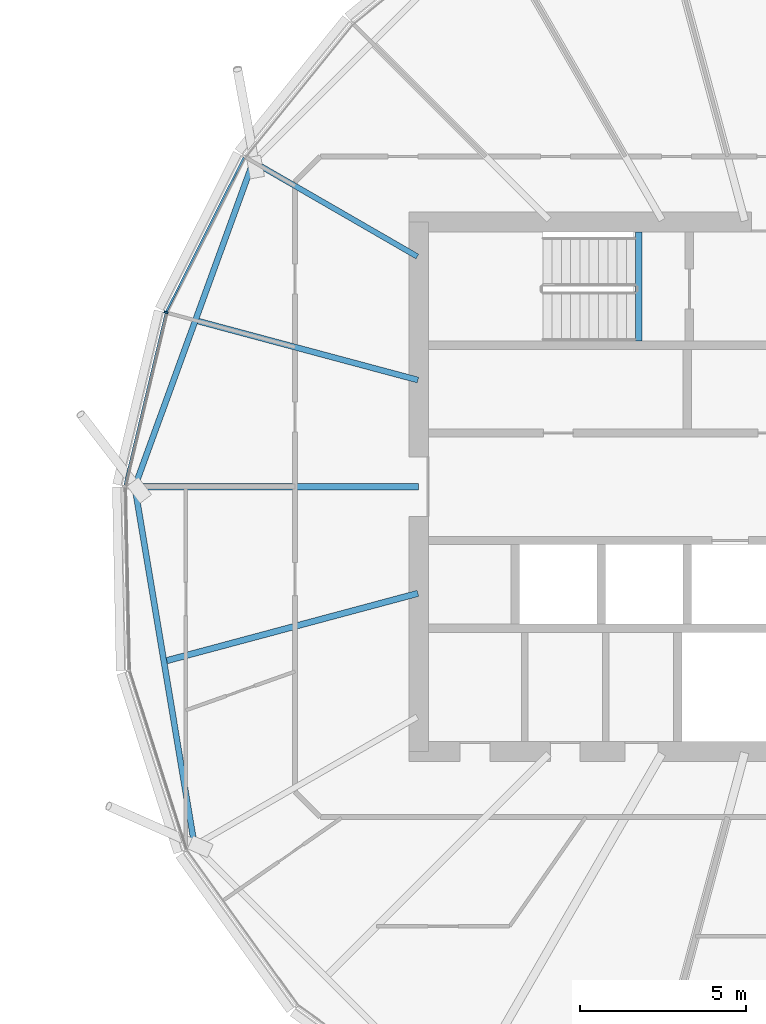
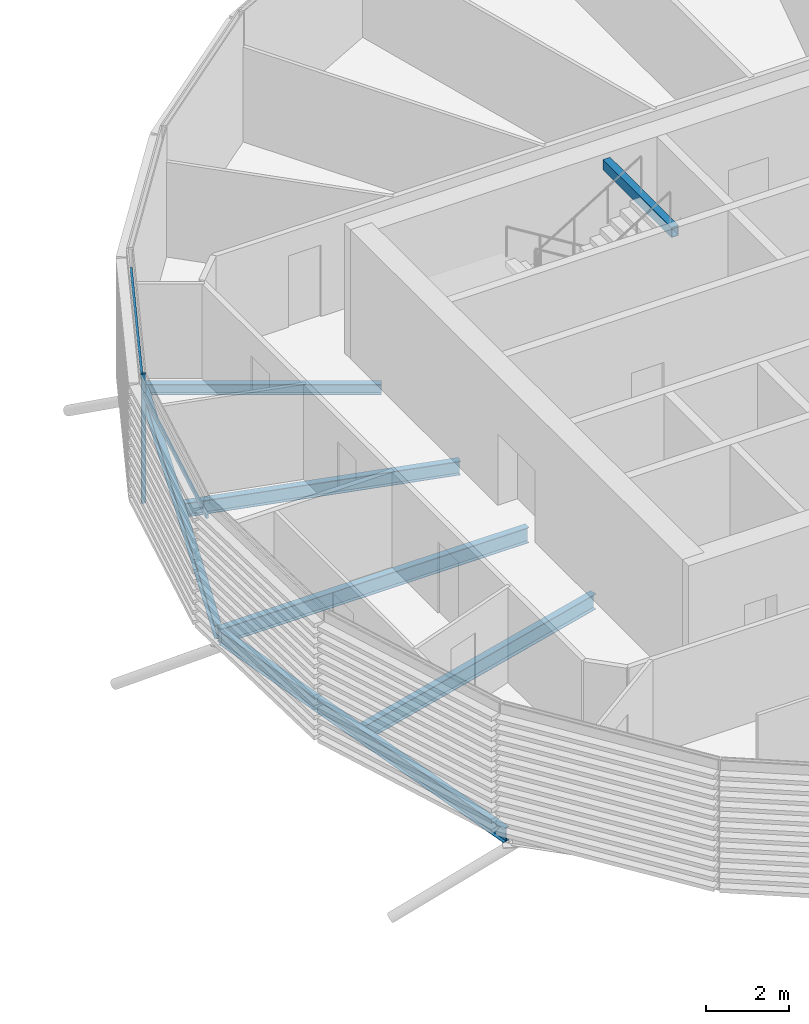
# One storey, part 13 of 37: 7 beams, 3 members, 1 element without a shape of its own.
"""IFC4 building model written with IfcOpenShell, lengths in metres."""

from ifc_helpers import new_model, si_unit, direction, frame, origin, origin_2d, place, context, subcontext, project, spatial, rectangle, hollow_rectangle, i_section, extrude, material, material_profile, profile_set, type_object, element, aggregate, save


model = new_model("IFC4")

# Units and contexts
model_context = context("Model", 3, precision=1e-05, world=origin(), true_north=direction((0.0, 1.0)))
body_context = subcontext(model_context, "Body", "Model", "MODEL_VIEW")
ifc_project = project(units=[si_unit("LENGTHUNIT", "METRE"), si_unit("AREAUNIT", "SQUARE_METRE"), si_unit("VOLUMEUNIT", "CUBIC_METRE"), si_unit("PLANEANGLEUNIT", "RADIAN"), si_unit("MASSUNIT", "GRAM", prefix="KILO")], contexts=[model_context])

# Site, building, storey
site_placement = place(None, origin())
site = spatial("IfcSite", under=ifc_project, at=site_placement, CompositionType="ELEMENT")
building_placement = place(site_placement, origin())
building = spatial("IfcBuilding", under=site, at=building_placement, Name="Rimbun Link Towers", CompositionType="ELEMENT")
storey_placement = place(building_placement, frame((0.0, 0.0, 177.89990234375)))
storey = spatial("IfcBuildingStorey", under=building, at=storey_placement, Name="L43", CompositionType="ELEMENT", Elevation=177.89990234375)

# Curtain wall, members
ifc_material_1 = material(Name="Aluminium 6063-T6 and low-iron glass", Category="aluminium")
curtain_wall_type = type_object("IfcCurtainWallType", Name="CW1-Z3 unitised vision wall (zone 3)", PredefinedType="NOTDEFINED", material=ifc_material_1)
curtain_wall_placement = place(storey_placement, origin())
curtain_wall = element("IfcCurtainWall", 1, at=curtain_wall_placement, inside=storey, type_object=curtain_wall_type, Name="CW1 L43 T2", PredefinedType="NOTDEFINED")
ifc_material_2 = material(Name="Aluminium 6063-T6", Category="aluminium")
ifc_material_profile_1 = material_profile(ifc_material_2, rectangle(XDim=0.1201171875, YDim=0.06005859375, at=origin_2d()), Name="MULLION 60X120")
ifc_profile_set_1 = profile_set([ifc_material_profile_1], Name="Aluminium 6063-T6")
member_type_1 = type_object("IfcMemberType", Name="CW1 mullion 60X120", PredefinedType="MULLION", material=ifc_profile_set_1)
member_1_placement = place(storey_placement, frame((12.115234375, 5.2666015625, 0.0), z_axis=(0.0, 0.0, 1.0), x_axis=(-0.939349260372, 0.342962048977, 0.0)))
member_1 = element("IfcMember", 2, at=member_1_placement, type_object=member_type_1, Name="CW1 mullion", PredefinedType="MULLION", context=body_context, shape_type="SweptSolid", body=[
    extrude(rectangle(XDim=0.1201171875, YDim=0.06005859375, at=origin_2d()), origin(), (0.0, 0.0, 1.0), 3.800048828125),
])
ifc_material_3 = material(Name="Aluminium 6063-T6", Category="aluminium")
ifc_material_profile_2 = material_profile(ifc_material_3, rectangle(XDim=0.06005859375, YDim=0.1201171875, at=origin_2d()), Name="TRANSOM 60X120")
ifc_profile_set_2 = profile_set([ifc_material_profile_2], Name="Aluminium 6063-T6")
member_type_2 = type_object("IfcMemberType", Name="CW1 transom 60X120", PredefinedType="USERDEFINED", material=ifc_profile_set_2)
member_2_placement = place(storey_placement, frame((12.133056640625, 5.298828125, 3.2001953125), z_axis=(0.448791894186, 0.89363629946, 0.0), x_axis=(-0.89363629946, 0.448791894186, 0.0)))
member_2 = element("IfcMember", 3, at=member_2_placement, type_object=member_type_2, Name="CW1 transom", ObjectType="TRANSOM", PredefinedType="USERDEFINED", context=body_context, shape_type="SweptSolid", body=[
    extrude(rectangle(XDim=0.06005859375, YDim=0.1201171875, at=origin_2d()), origin(), (0.0, 0.0, 1.0), 5.195068359375),
])
member_3_placement = place(storey_placement, frame((10.867431640625, 0.042724609375, 3.2001953125), z_axis=(0.232614626983, 0.972568987432, 0.0), x_axis=(-0.972568987432, 0.232614626983, 0.0)))
member_3 = element("IfcMember", 4, at=member_3_placement, type_object=member_type_2, Name="CW1 transom", ObjectType="TRANSOM", PredefinedType="USERDEFINED", context=body_context, shape_type="SweptSolid", body=[
    extrude(rectangle(XDim=0.06005859375, YDim=0.1201171875, at=origin_2d()), origin(), (0.0, 0.0, 1.0), 5.333740234375),
])
aggregate(curtain_wall, [member_1, member_2, member_3])

# Beams
ifc_material_4 = material(Name="Steel S355J2", Category="steel")
ifc_material_profile_3 = material_profile(ifc_material_4, hollow_rectangle(XDim=0.199951171875, YDim=0.300048828125, WallThickness=0.011962890625, at=origin_2d()), Name="BOX 300x200x12")
ifc_profile_set_3 = profile_set([ifc_material_profile_3], Name="Steel S355J2")
beam_type_1 = type_object("IfcBeamType", Name="Stair trimmer beam BOX 300x200x12", PredefinedType="BEAM", material=ifc_profile_set_3)
beam_1_placement = place(storey_placement, frame((26.39990234375, 7.699951171875, 3.5), z_axis=(0.0, -1.0, 0.0), x_axis=(1.0, 0.0, 0.0)))
element("IfcBeam", 5, at=beam_1_placement, inside=storey, type_object=beam_type_1, Name="L43 ST3 stair beam 1", PredefinedType="BEAM", context=body_context, shape_type="SweptSolid", body=[
    extrude(hollow_rectangle(XDim=0.199951171875, YDim=0.300048828125, WallThickness=0.011962890625, at=origin_2d()), origin(), (0.0, 0.0, 1.0), 3.300048828125),
])
ifc_material_5 = material(Name="Steel S355J2", Category="steel")
ifc_material_profile_4 = material_profile(ifc_material_5, i_section(OverallWidth=0.1650390625, OverallDepth=0.303466796875, WebThickness=0.006103515625, FlangeThickness=0.01025390625, at=origin_2d()), Name="UB 305x165x40")
ifc_profile_set_4 = profile_set([ifc_material_profile_4], Name="Steel S355J2")
beam_type_2 = type_object("IfcBeamType", Name="UB 305x165x40", PredefinedType="BEAM", material=ifc_profile_set_4)
beam_2_placement = place(storey_placement, frame((19.7080078125, 6.952392578125, -0.301513671875), z_axis=(-0.866027963864, 0.499995565786, 0.0), x_axis=(-0.499995565786, -0.866027963864, 0.0)))
element("IfcBeam", 6, at=beam_2_placement, inside=storey, type_object=beam_type_2, Name="Radial beam T2 L43 07", PredefinedType="BEAM", context=body_context, shape_type="SweptSolid", body=[
    extrude(i_section(OverallWidth=0.1650390625, OverallDepth=0.303466796875, WebThickness=0.006103515625, FlangeThickness=0.01025390625, at=origin_2d()), origin(), (0.0, 0.0, 1.0), 5.72607421875),
])
ifc_material_6 = material(Name="Steel S355J2", Category="steel")
ifc_material_profile_5 = material_profile(ifc_material_6, i_section(OverallWidth=0.177978515625, OverallDepth=0.406494140625, WebThickness=0.0078125, FlangeThickness=0.0126953125, at=origin_2d()), Name="UB 406x178x60")
ifc_profile_set_5 = profile_set([ifc_material_profile_5], Name="Steel S355J2")
beam_type_3 = type_object("IfcBeamType", Name="UB 406x178x60", PredefinedType="BEAM", material=ifc_profile_set_5)
beam_3_placement = place(storey_placement, frame((19.72607421875, 3.2216796875, -0.35302734375), z_axis=(-0.965919812148, 0.258841489141, 0.0), x_axis=(-0.258841489141, -0.965919812148, 0.0)))
element("IfcBeam", 7, at=beam_3_placement, inside=storey, type_object=beam_type_3, Name="Radial beam T2 L43 08", PredefinedType="BEAM", context=body_context, shape_type="SweptSolid", body=[
    extrude(i_section(OverallWidth=0.177978515625, OverallDepth=0.406494140625, WebThickness=0.0078125, FlangeThickness=0.0126953125, at=origin_2d()), origin(), (0.0, 0.0, 1.0), 6.869384765625),
])
beam_4_placement = place(storey_placement, frame((14.719970703125, 9.73583984375, -0.35302734375), z_axis=(-0.342222603427, -0.939618906634, 0.0), x_axis=(0.939618906634, -0.342222603427, 0.0)))
element("IfcBeam", 8, at=beam_4_placement, inside=storey, type_object=beam_type_3, Name="Edge beam T2 L43 07-09", PredefinedType="BEAM", context=body_context, shape_type="SweptSolid", body=[
    extrude(i_section(OverallWidth=0.177978515625, OverallDepth=0.406494140625, WebThickness=0.0078125, FlangeThickness=0.0126953125, at=origin_2d()), origin(), (0.0, 0.0, 1.0), 10.25927734375),
])
beam_5_placement = place(storey_placement, frame((11.18994140625, -0.095947265625, -0.35302734375), z_axis=(0.164164240489, -0.986433019594, 0.0), x_axis=(0.986433019594, 0.164164240489, 0.0)))
element("IfcBeam", 9, at=beam_5_placement, inside=storey, type_object=beam_type_3, Name="Edge beam T2 L43 09-11", PredefinedType="BEAM", context=body_context, shape_type="SweptSolid", body=[
    extrude(i_section(OverallWidth=0.177978515625, OverallDepth=0.406494140625, WebThickness=0.0078125, FlangeThickness=0.0126953125, at=origin_2d()), origin(), (0.0, 0.0, 1.0), 10.7939453125),
])
ifc_material_7 = material(Name="Steel S355J2", Category="steel")
ifc_material_profile_6 = material_profile(ifc_material_7, i_section(OverallWidth=0.18994140625, OverallDepth=0.453369140625, WebThickness=0.008544921875, FlangeThickness=0.0126953125, at=origin_2d()), Name="UB 457x191x67")
ifc_profile_set_6 = profile_set([ifc_material_profile_6], Name="Steel S355J2")
beam_type_4 = type_object("IfcBeamType", Name="UB 457x191x67", PredefinedType="BEAM", material=ifc_profile_set_6)
beam_6_placement = place(storey_placement, frame((19.7490234375, 0.0, -0.376708984375), z_axis=(-1.0, 0.0, 0.0), x_axis=(0.0, -1.0, 0.0)))
element("IfcBeam", 10, at=beam_6_placement, inside=storey, type_object=beam_type_4, Name="Radial beam T2 L43 09", PredefinedType="BEAM", context=body_context, shape_type="SweptSolid", body=[
    extrude(i_section(OverallWidth=0.18994140625, OverallDepth=0.453369140625, WebThickness=0.008544921875, FlangeThickness=0.0126953125, at=origin_2d()), origin(), (0.0, 0.0, 1.0), 8.5751953125),
])
beam_7_placement = place(storey_placement, frame((19.724609375, -3.22216796875, -0.376708984375), z_axis=(-0.96592307091, -0.258829328097, 0.0), x_axis=(0.258829328097, -0.96592307091, 0.0)))
element("IfcBeam", 11, at=beam_7_placement, inside=storey, type_object=beam_type_4, Name="Radial beam T2 L43 10", PredefinedType="BEAM", context=body_context, shape_type="SweptSolid", body=[
    extrude(i_section(OverallWidth=0.18994140625, OverallDepth=0.453369140625, WebThickness=0.008544921875, FlangeThickness=0.0126953125, at=origin_2d()), origin(), (0.0, 0.0, 1.0), 7.8525390625),
])

save(model, "model.ifc")
